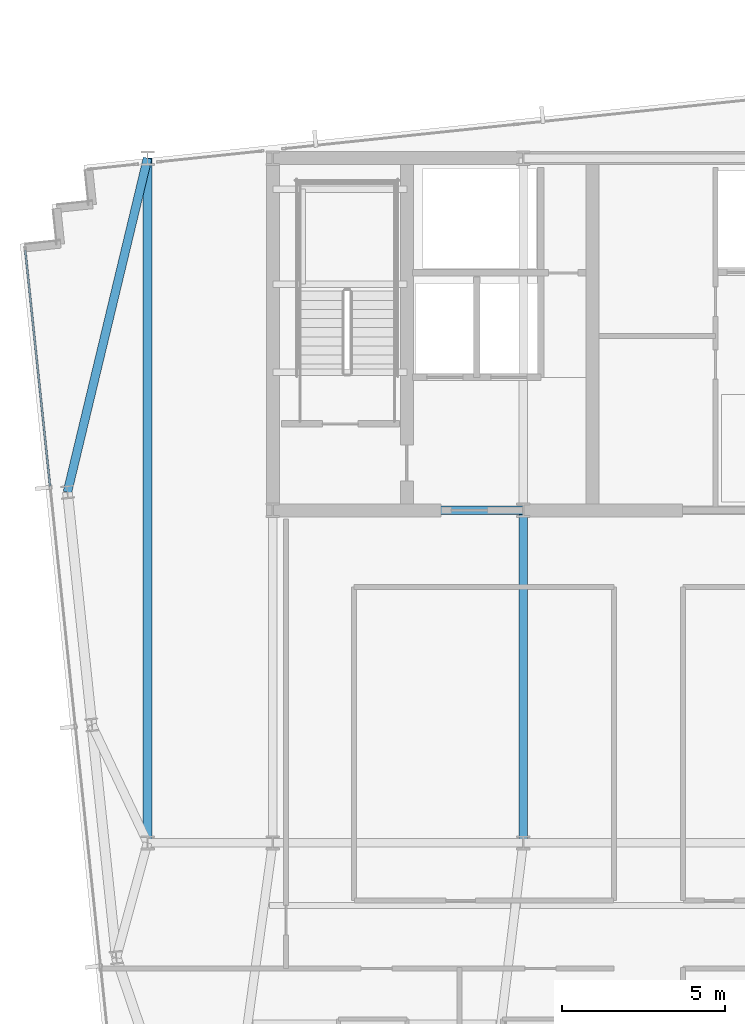
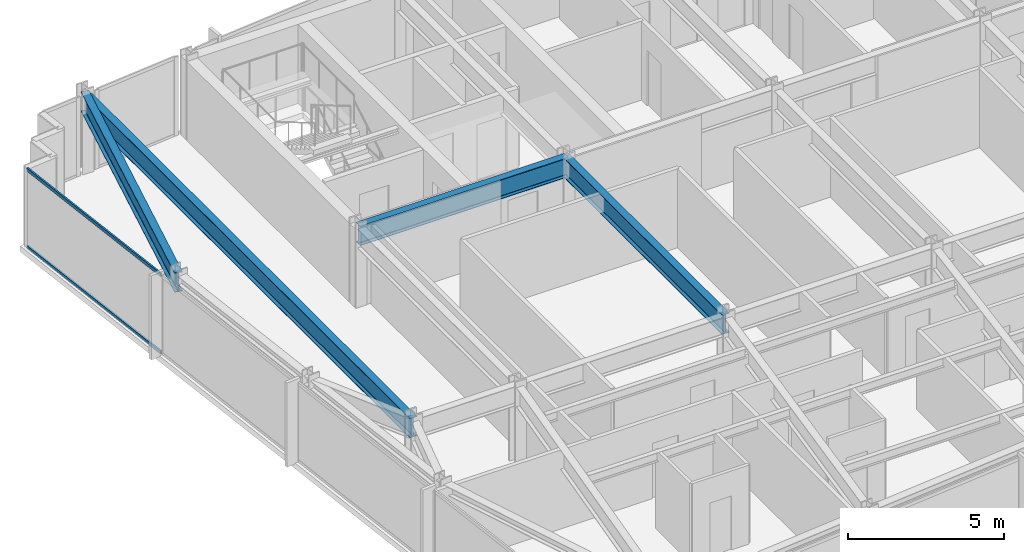
# One storey, part 11 of 33: 4 beams, 2 members, 1 element without a shape of its own.
"""IFC4 building model written with IfcOpenShell, lengths in metres."""

from ifc_helpers import new_model, si_unit, direction, frame, origin, origin_2d, place, context, subcontext, project, spatial, hollow_rectangle, i_section, extrude, material, material_profile, profile_set, type_object, element, aggregate, save


model = new_model("IFC4")

# Units and contexts
model_context = context("Model", 3, precision=1e-05, world=origin(), true_north=direction((0.0, 1.0)))
body_context = subcontext(model_context, "Body", "Model", "MODEL_VIEW")
ifc_project = project(units=[si_unit("LENGTHUNIT", "METRE"), si_unit("AREAUNIT", "SQUARE_METRE"), si_unit("VOLUMEUNIT", "CUBIC_METRE"), si_unit("PLANEANGLEUNIT", "RADIAN"), si_unit("MASSUNIT", "GRAM", prefix="KILO")], contexts=[model_context])

# Site, building, storey
site_placement = place(None, origin())
site = spatial("IfcSite", under=ifc_project, at=site_placement, CompositionType="ELEMENT")
building_placement = place(site_placement, origin())
building = spatial("IfcBuilding", under=site, at=building_placement, Name="Yelkora Congress Tower", CompositionType="ELEMENT")
storey_placement = place(building_placement, frame((0.0, 0.0, 227.60009765625)))
storey = spatial("IfcBuildingStorey", under=building, at=storey_placement, Name="L63", CompositionType="ELEMENT", Elevation=227.60009765625)

# Beams
ifc_material_1 = material(Name="Steel S355J2", Category="steel")
ifc_material_profile_1 = material_profile(ifc_material_1, i_section(OverallWidth=0.26708984375, OverallDepth=0.761962890625, WebThickness=0.014404296875, FlangeThickness=0.021484375, FilletRadius=0.01708984375, at=origin_2d()), Name="IPE 750x173")
ifc_profile_set_1 = profile_set([ifc_material_profile_1], Name="Steel S355J2")
beam_type = type_object("IfcBeamType", Name="BM-GIRD-IPE750", PredefinedType="BEAM", material=ifc_profile_set_1)
beam_1_placement = place(storey_placement, frame((23.0400390625, 35.39990234375, 2.698974609375), z_axis=(1.0, 0.0, 0.0), x_axis=(0.0, 1.0, 0.0)))
element("IfcBeam", 1, at=beam_1_placement, inside=storey, type_object=beam_type, Name="L63 Core South Girder 1", PredefinedType="BEAM", context=body_context, shape_type="SweptSolid", body=[
    extrude(i_section(OverallWidth=0.26708984375, OverallDepth=0.761962890625, WebThickness=0.014404296875, FlangeThickness=0.021484375, FilletRadius=0.01708984375, at=origin_2d()), origin(), (0.0, 0.0, 1.0), 7.679931640625),
])
beam_2_placement = place(storey_placement, frame((30.719970703125, 25.199951171875, 2.698974609375), z_axis=(0.0, 1.0, 0.0), x_axis=(-1.0, 0.0, 0.0)))
element("IfcBeam", 2, at=beam_2_placement, inside=storey, type_object=beam_type, Name="L63 Core Tie Girder MC-D2", PredefinedType="BEAM", context=body_context, shape_type="SweptSolid", body=[
    extrude(i_section(OverallWidth=0.26708984375, OverallDepth=0.761962890625, WebThickness=0.014404296875, FlangeThickness=0.021484375, FilletRadius=0.01708984375, at=origin_2d()), origin(), (0.0, 0.0, 1.0), 10.199951171875),
])
beam_3_placement = place(storey_placement, frame((19.199951171875, 25.199951171875, 2.698974609375), z_axis=(0.0, 1.0, 0.0), x_axis=(-1.0, 0.0, 0.0)))
element("IfcBeam", 3, at=beam_3_placement, inside=storey, type_object=beam_type, Name="L63 Neck Flank Girder MC-F1", PredefinedType="BEAM", context=body_context, shape_type="SweptSolid", body=[
    extrude(i_section(OverallWidth=0.26708984375, OverallDepth=0.761962890625, WebThickness=0.014404296875, FlangeThickness=0.021484375, FilletRadius=0.01708984375, at=origin_2d()), origin(), (0.0, 0.0, 1.0), 21.0),
])
beam_4_placement = place(storey_placement, frame((16.7412109375, 35.95458984375, 2.698974609375), z_axis=(0.233359806768, 0.972390456856, 0.0), x_axis=(-0.972390456856, 0.233359806768, 0.0)))
element("IfcBeam", 4, at=beam_4_placement, inside=storey, type_object=beam_type, Name="L63 Primary Frame Girder W03", PredefinedType="BEAM", context=body_context, shape_type="SweptSolid", body=[
    extrude(i_section(OverallWidth=0.26708984375, OverallDepth=0.761962890625, WebThickness=0.014404296875, FlangeThickness=0.021484375, FilletRadius=0.01708984375, at=origin_2d()), origin(), (0.0, 0.0, 1.0), 10.536376953125),
])

# Curtain wall, members
ifc_material_2 = material(Name="Anodised aluminium and insulated glass", Category="aluminium")
curtain_wall_type = type_object("IfcCurtainWallType", Name="CW-SYS-B4", PredefinedType="NOTDEFINED", material=ifc_material_2)
curtain_wall_placement = place(storey_placement, origin())
curtain_wall = element("IfcCurtainWall", 5, at=curtain_wall_placement, inside=storey, type_object=curtain_wall_type, Name="L63 Unitised Curtain Wall 5", PredefinedType="NOTDEFINED")
ifc_material_3 = material(Name="Anodised aluminium 6063-T6", Category="aluminium")
ifc_material_profile_2 = material_profile(ifc_material_3, hollow_rectangle(XDim=0.06005859375, YDim=0.1298828125, WallThickness=0.00390625, at=origin_2d()), Name="ALU 60x130x4")
ifc_profile_set_2 = profile_set([ifc_material_profile_2], Name="Anodised aluminium 6063-T6")
member_type = type_object("IfcMemberType", Name="MEM-TR-B4", PredefinedType="USERDEFINED", material=ifc_profile_set_2)
member_1_placement = place(storey_placement, frame((16.208984375, 36.137451171875, 0.02978515625), z_axis=(-0.104494567873, 0.994525457334, 0.0), x_axis=(-0.994525457334, -0.104494567873, 0.0)))
member_1 = element("IfcMember", 6, at=member_1_placement, type_object=member_type, Name="CW-B4 transom 4.1", ObjectType="TRANSOM", PredefinedType="USERDEFINED", context=body_context, shape_type="SweptSolid", body=[
    extrude(hollow_rectangle(XDim=0.06005859375, YDim=0.1298828125, WallThickness=0.00390625, at=origin_2d()), origin(), (0.0, 0.0, 1.0), 7.282470703125),
])
member_2_placement = place(storey_placement, frame((16.208984375, 36.137451171875, 3.0498046875), z_axis=(-0.104494567873, 0.994525457334, 0.0), x_axis=(-0.994525457334, -0.104494567873, 0.0)))
member_2 = element("IfcMember", 7, at=member_2_placement, type_object=member_type, Name="CW-B4 transom 4.2", ObjectType="TRANSOM", PredefinedType="USERDEFINED", context=body_context, shape_type="SweptSolid", body=[
    extrude(hollow_rectangle(XDim=0.06005859375, YDim=0.1298828125, WallThickness=0.00390625, at=origin_2d()), origin(), (0.0, 0.0, 1.0), 7.282470703125),
])
aggregate(curtain_wall, [member_1, member_2])

save(model, "model.ifc")
